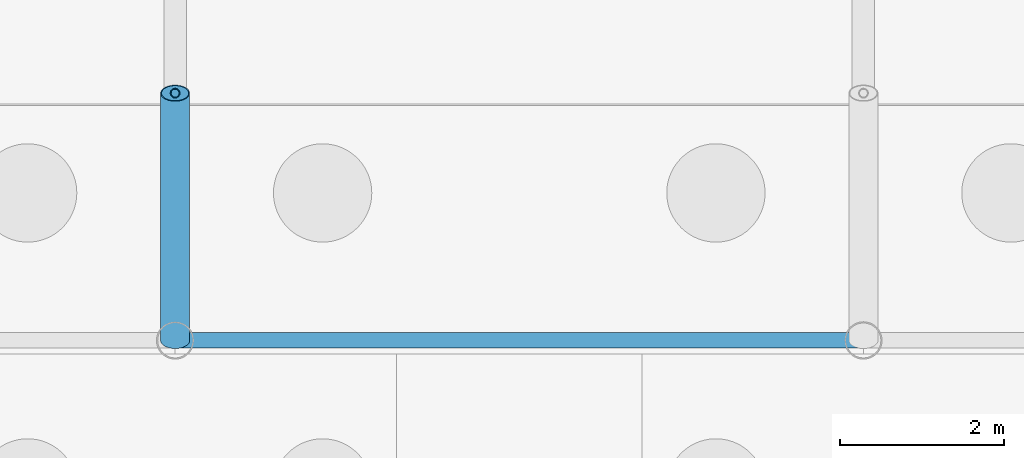
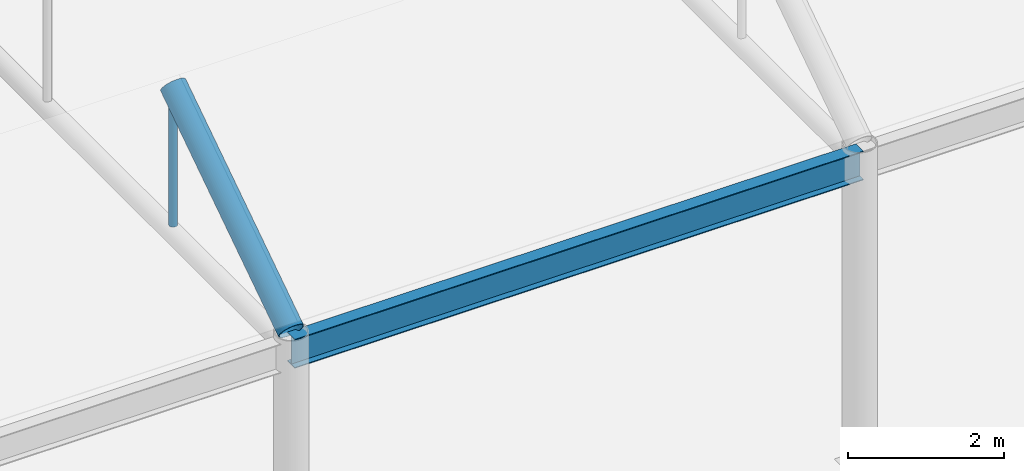
# One storey, part 39 of 212: 2 members, 1 beam.
"""IFC4 building model written with IfcOpenShell, lengths in metres."""

from ifc_helpers import new_model, si_unit, direction, frame, origin, origin_2d, place, context, subcontext, project, spatial, hollow_circle, i_section, extrude, material, material_profile, profile_set, type_object, element, save


model = new_model("IFC4")

# Units and contexts
model_context = context("Model", 3, precision=1e-05, world=origin(), true_north=direction((0.0, 1.0)))
body_context = subcontext(model_context, "Body", "Model", "MODEL_VIEW")
ifc_project = project(units=[si_unit("LENGTHUNIT", "METRE"), si_unit("AREAUNIT", "SQUARE_METRE"), si_unit("VOLUMEUNIT", "CUBIC_METRE"), si_unit("PLANEANGLEUNIT", "RADIAN"), si_unit("MASSUNIT", "GRAM", prefix="KILO")], contexts=[model_context])

# Site, building, storey
site_placement = place(None, origin())
site = spatial("IfcSite", under=ifc_project, at=site_placement, CompositionType="ELEMENT")
building_placement = place(site_placement, origin())
building = spatial("IfcBuilding", under=site, at=building_placement, Name="Catenary Quay Ferry Terminal", CompositionType="ELEMENT")
storey_placement = place(building_placement, origin())
storey = spatial("IfcBuildingStorey", under=building, at=storey_placement, Name="L00", CompositionType="ELEMENT", Elevation=0.0)

# Beam
ifc_material_1 = material(Name="Steel S355", Category="steel")
ifc_material_profile_1 = material_profile(ifc_material_1, i_section(OverallWidth=0.18994140625, OverallDepth=0.453369140625, WebThickness=0.008544921875, FlangeThickness=0.0126953125, at=origin_2d()), Name="UB 457x191x67")
ifc_profile_set_1 = profile_set([ifc_material_profile_1], Name="Steel S355")
beam_type = type_object("IfcBeamType", Name="B1 UB 457x191x67", PredefinedType="BEAM", material=ifc_profile_set_1)
beam_placement = place(storey_placement, frame((33.60009765625, 16.800048828125, 4.699951171875), z_axis=(1.0, 0.0, 0.0), x_axis=(0.0, 1.0, 0.0)))
element("IfcBeam", 1, at=beam_placement, inside=storey, type_object=beam_type, Name="Eaves beam B-CA3-3", PredefinedType="BEAM", context=body_context, shape_type="SweptSolid", body=[
    extrude(i_section(OverallWidth=0.18994140625, OverallDepth=0.453369140625, WebThickness=0.008544921875, FlangeThickness=0.0126953125, at=origin_2d()), origin(), (0.0, 0.0, 1.0), 8.39990234375),
])

# Members
ifc_material_2 = material(Name="Steel S355", Category="steel")
ifc_material_profile_2 = material_profile(ifc_material_2, hollow_circle(Radius=0.05712890625, WallThickness=0.00634765625, at=origin_2d()), Name="CHS 114.3x6.3")
ifc_profile_set_2 = profile_set([ifc_material_profile_2], Name="Steel S355")
member_type_1 = type_object("IfcMemberType", Name="HG1 CHS 114.3x6.3", PredefinedType="POST", material=ifc_profile_set_2)
member_1_placement = place(storey_placement, frame((33.60009765625, 19.818115234375, 4.830078125), z_axis=(0.0, 0.0, 1.0), x_axis=(1.0, 0.0, 0.0)))
element("IfcMember", 2, at=member_1_placement, inside=storey, type_object=member_type_1, Name="Hanger CA-03-01", PredefinedType="POST", context=body_context, shape_type="SweptSolid", body=[
    extrude(hollow_circle(Radius=0.05712890625, WallThickness=0.00634765625, at=origin_2d()), origin(), (0.0, 0.0, 1.0), 2.010986328125),
])
ifc_material_3 = material(Name="Steel S355", Category="steel")
ifc_material_profile_3 = material_profile(ifc_material_3, hollow_circle(Radius=0.177734375, WallThickness=0.012451171875, at=origin_2d()), Name="CHS 355.6x12.5")
ifc_profile_set_3 = profile_set([ifc_material_profile_3], Name="Steel S355")
member_type_2 = type_object("IfcMemberType", Name="VR1 CHS 355.6x12.5", PredefinedType="RAFTER", material=ifc_profile_set_3)
member_2_placement = place(storey_placement, frame((33.60009765625, 16.800048828125, 5.0), z_axis=(0.0, 0.831936388081, 0.554871017613), x_axis=(-1.0, 0.0, 0.0)))
element("IfcMember", 3, at=member_2_placement, inside=storey, type_object=member_type_2, Name="rib CA-03-01", PredefinedType="RAFTER", context=body_context, shape_type="SweptSolid", body=[
    extrude(hollow_circle(Radius=0.177734375, WallThickness=0.012451171875, at=origin_2d()), origin(), (0.0, 0.0, 1.0), 3.627685546875),
])

save(model, "model.ifc")
